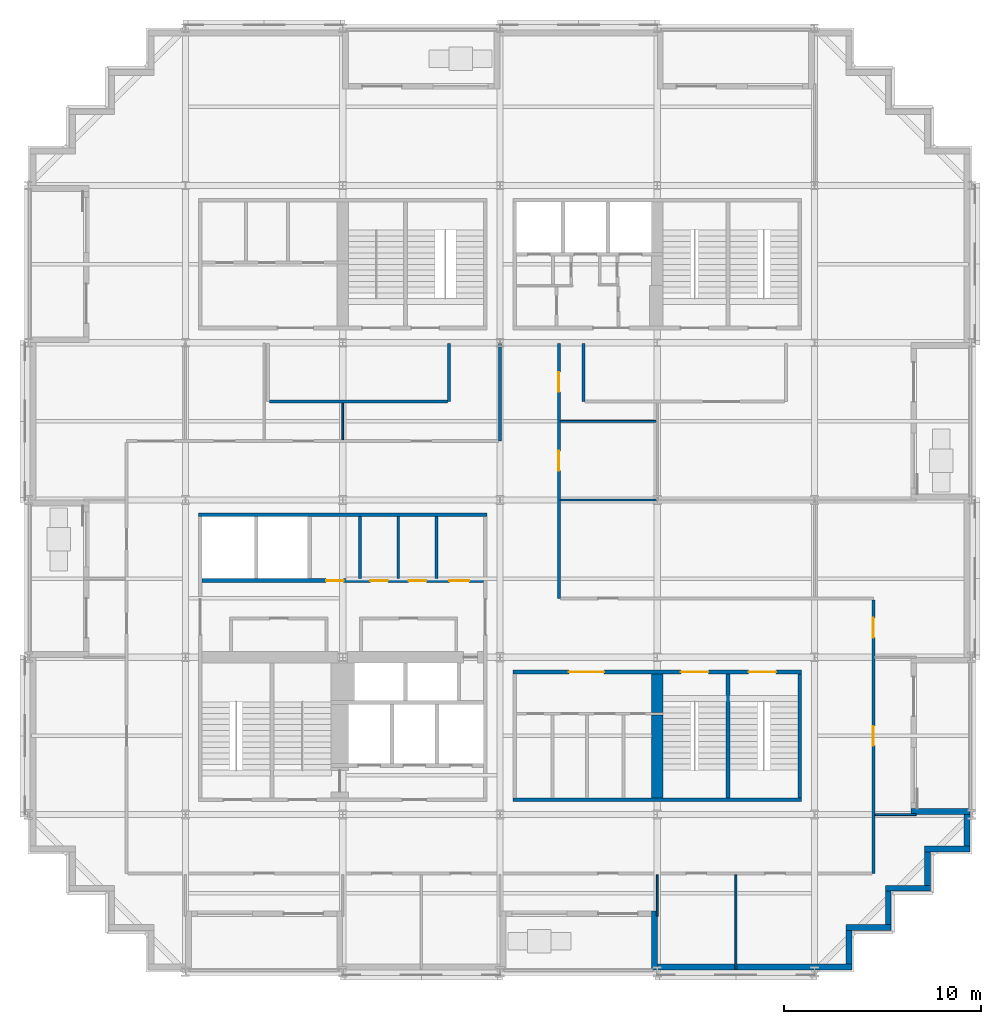
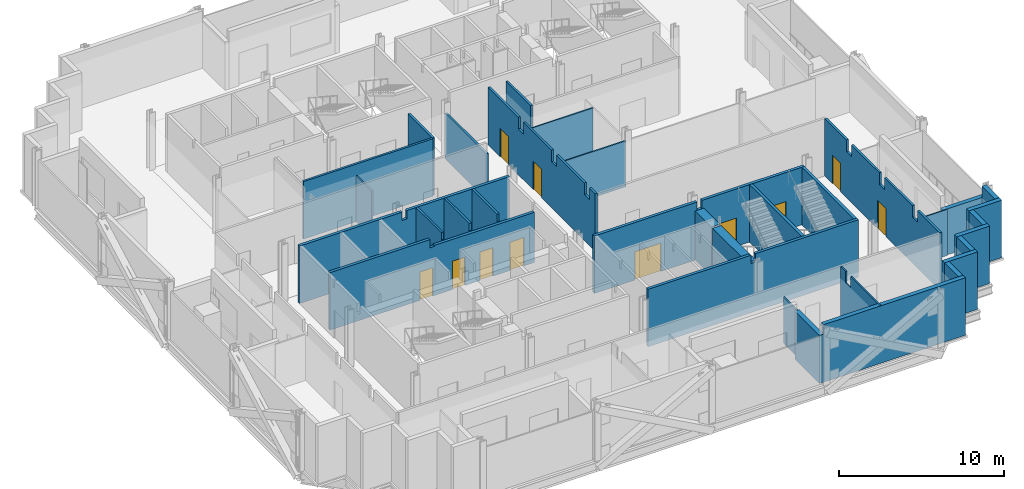
# One storey, part 7 of 14: 33 walls, 11 doors, 11 openings.
"""IFC4 building model written with IfcOpenShell, lengths in metres."""

import ifcopenshell
import ifcopenshell.guid

model = None  # the IFC model being written
_history = None  # IfcOwnerHistory: only IFC2X3 demands one
_inside = {}  # id of a spatial element -> (the spatial element, [elements in it])
_under = {}  # id of a project, library or spatial element -> (it, [spatial elements below it])
_declared = {}  # id of a project -> (the project, [libraries it declares])
_typed = {}  # id of a type object -> (the type object, [elements of that type])
_made_of = {}  # id of a material, layer set ... -> (it, [elements and type objects made of it])


def new_model(schema):
    """Start an empty IFC model of exactly this schema.

    Asked for "IFC4X3", IfcOpenShell would pick the latest addendum, in which some entities
    have other attributes; the version numbers below select the first issue.
    IFC2X3 requires an IfcOwnerHistory on every rooted entity: one is made here for all.
    """
    global model, _history
    if schema == "IFC4X3":
        model = ifcopenshell.file(schema_version=(4, 3, 0, 0))
    else:
        model = ifcopenshell.file(schema=schema)
    _inside.clear()
    _under.clear()
    _declared.clear()
    _typed.clear()
    _made_of.clear()
    _history = None
    if model.schema == "IFC2X3":
        org = make("IfcOrganization", Name="unknown")
        user = make(
            "IfcPersonAndOrganization",
            ThePerson=make("IfcPerson", FamilyName="unknown"),
            TheOrganization=org,
        )
        app = make(
            "IfcApplication",
            ApplicationDeveloper=org,
            Version="unknown",
            ApplicationFullName="unknown",
            ApplicationIdentifier="unknown",
        )
        _history = make(
            "IfcOwnerHistory",
            OwningUser=user,
            OwningApplication=app,
            ChangeAction="ADDED",
            CreationDate=0,
        )
    return model


def make(cls, **values):
    """One entity of the class cls with the attributes given. An attribute that is None is left unset."""
    return model.create_entity(
        cls, **{name: value for name, value in values.items() if value is not None}
    )


def rooted(cls, **values):
    """An entity with a GlobalId (a new one), such as an element, a storey or a relation."""
    return make(cls, GlobalId=ifcopenshell.guid.new(), OwnerHistory=_history, **values)


def si_unit(unit_type, name, prefix=None):
    """IfcSIUnit, for example si_unit("LENGTHUNIT", "METRE", prefix="MILLI")."""
    return make("IfcSIUnit", UnitType=unit_type, Prefix=prefix, Name=name)


def assignment(units):
    """IfcUnitAssignment: the units of a project."""
    return None if units is None else make("IfcUnitAssignment", Units=units)


def point(xyz):
    """IfcCartesianPoint."""
    return None if xyz is None else make("IfcCartesianPoint", Coordinates=xyz)


def direction(xyz):
    """IfcDirection."""
    return None if xyz is None else make("IfcDirection", DirectionRatios=xyz)


def frame(location, z_axis=None, x_axis=None):
    """IfcAxis2Placement3D, a coordinate frame: its origin and axes. An axis left out is left unset."""
    return make(
        "IfcAxis2Placement3D",
        Location=point(location),
        Axis=direction(z_axis),
        RefDirection=direction(x_axis),
    )


def frame_2d(location, x_axis=None):
    """IfcAxis2Placement2D, a coordinate frame in the plane: its origin and x axis."""
    return make(
        "IfcAxis2Placement2D", Location=point(location), RefDirection=direction(x_axis)
    )


def origin():
    """The frame at (0, 0, 0) with its axes left unset."""
    return frame((0.0, 0.0, 0.0))


def place(relative_to, where):
    """IfcLocalPlacement: puts the frame where relative to a parent placement (None: the world)."""
    return make(
        "IfcLocalPlacement", PlacementRelTo=relative_to, RelativePlacement=where
    )


def context(
    kind, dimensions, precision=None, world=None, true_north=None, identifier=None
):
    """IfcGeometricRepresentationContext, for example the 3D "Model" context."""
    return make(
        "IfcGeometricRepresentationContext",
        ContextIdentifier=identifier,
        ContextType=kind,
        CoordinateSpaceDimension=dimensions,
        Precision=precision,
        WorldCoordinateSystem=world,
        TrueNorth=true_north,
    )


def subcontext(parent, identifier, kind, view, scale=None):
    """IfcGeometricRepresentationSubContext, for example "Body" below "Model"."""
    return make(
        "IfcGeometricRepresentationSubContext",
        ContextIdentifier=identifier,
        ContextType=kind,
        ParentContext=parent,
        TargetScale=scale,
        TargetView=view,
    )


def project(units=None, contexts=None):
    """IfcProject with its units and contexts."""
    return rooted(
        "IfcProject",
        Name="project",
        RepresentationContexts=contexts,
        UnitsInContext=assignment(units),
    )


def spatial(cls, under=None, at=None, **own):
    """A site, building, storey or space (cls), placed at a placement, below another one or the project."""
    s = rooted(cls, ObjectPlacement=at, **own)
    if under is not None:
        _under.setdefault(under.id(), (under, []))[1].append(s)
    return s


def polyline(points):
    """IfcPolyline through the points."""
    return make("IfcPolyline", Points=[point(p) for p in points])


def profile(cls, at=None, kind="AREA", **sizes):
    """A parametric profile (cls). Its sizes go by their IFC names, for example OverallWidth=200.0."""
    return make(cls, ProfileType=kind, Position=at, **sizes)


def rectangle(**sizes):
    """IfcRectangleProfileDef."""
    return profile("IfcRectangleProfileDef", **sizes)


def outline(outer, holes=None, kind="AREA"):
    """IfcArbitraryClosedProfileDef: a profile drawn as a closed curve; with holes, ...WithVoids."""
    if holes is None:
        return make("IfcArbitraryClosedProfileDef", ProfileType=kind, OuterCurve=outer)
    return make(
        "IfcArbitraryProfileDefWithVoids",
        ProfileType=kind,
        OuterCurve=outer,
        InnerCurves=holes,
    )


def extrude(swept, where, along, depth):
    """IfcExtrudedAreaSolid: the profile swept, set in the frame where, extruded along a direction by depth."""
    return make(
        "IfcExtrudedAreaSolid",
        SweptArea=swept,
        Position=where,
        ExtrudedDirection=direction(along),
        Depth=depth,
    )


def shape(context_of_items, identifier, shape_type, items):
    """IfcShapeRepresentation: the items that make up one representation, for example the "Body"."""
    return make(
        "IfcShapeRepresentation",
        ContextOfItems=context_of_items,
        RepresentationIdentifier=identifier,
        RepresentationType=shape_type,
        Items=items,
    )


def material(Name=None, Category=None):
    """IfcMaterial."""
    return make("IfcMaterial", Name=Name, Category=Category)


def layer(
    of_material, thickness, ventilated=None, Name=None, Category=None, Priority=None
):
    """IfcMaterialLayer: one layer of a wall or slab, of a material (None: an air gap)."""
    return make(
        "IfcMaterialLayer",
        Material=of_material,
        LayerThickness=thickness,
        IsVentilated=ventilated,
        Name=Name,
        Category=Category,
        Priority=Priority,
    )


def layer_set(layers, Name=None):
    """IfcMaterialLayerSet."""
    return make("IfcMaterialLayerSet", MaterialLayers=layers, LayerSetName=Name)


def made_of(thing, what):
    """Note that an element or type object is made of a material, layer set ...; save() writes the relation."""
    if what is not None:
        _made_of.setdefault(what.id(), (what, []))[1].append(thing)
    return thing


def type_object(cls, material=None, **own):
    """A type object (cls), such as IfcWallType, which elements share."""
    return made_of(rooted(cls, **own), material)


def element(
    cls,
    number,
    at=None,
    inside=None,
    cuts=None,
    type_object=None,
    material=None,
    context=None,
    identifier="Body",
    shape_type=None,
    held_by="IfcProductDefinitionShape",
    body=None,
    shapes=None,
    **own,
):
    """One element of the class cls, such as IfcWall. Its Tag is "e" and its number.

    at: its placement. inside: the storey or other place that contains it. cuts: it is an
    opening in that element (IfcRelVoidsElement). A single representation is given by context,
    identifier, shape_type and body (its items); several are given by shapes. held_by: the class
    of the entity that holds the representations. save() writes the other relations.
    """
    e = rooted(cls, Tag="e%d" % number, ObjectPlacement=at, **own)
    if body is not None:
        shapes = [shape(context, identifier, shape_type, body)]
    if shapes is not None:
        e.Representation = make(held_by, Representations=shapes)
    if inside is not None:
        _inside.setdefault(inside.id(), (inside, []))[1].append(e)
    if cuts is not None:
        rooted(
            "IfcRelVoidsElement", RelatingBuildingElement=cuts, RelatedOpeningElement=e
        )
    if type_object is not None:
        _typed.setdefault(type_object.id(), (type_object, []))[1].append(e)
    return made_of(e, material)


def fill(opening, filler):
    """IfcRelFillsElement: the door or window that sits in an opening."""
    return rooted(
        "IfcRelFillsElement",
        RelatingOpeningElement=opening,
        RelatedBuildingElement=filler,
    )


def aggregate(whole, parts):
    """IfcRelAggregates: a whole, such as a stair, and the parts it consists of."""
    return rooted("IfcRelAggregates", RelatingObject=whole, RelatedObjects=parts)


def save(model, path):
    """Write the relations noted so far, then the file.

    IfcRelAggregates (storeys below a building ...), IfcRelContainedInSpatialStructure (elements
    in a storey), IfcRelDefinesByType, IfcRelAssociatesMaterial and IfcRelDeclares: one each for
    every whole, place, type object, material and project.
    """
    for whole, parts in _under.values():
        aggregate(whole, parts)
    for where, things in _inside.values():
        rooted(
            "IfcRelContainedInSpatialStructure",
            RelatedElements=things,
            RelatingStructure=where,
        )
    for kind, things in _typed.values():
        rooted("IfcRelDefinesByType", RelatedObjects=things, RelatingType=kind)
    for what, things in _made_of.values():
        rooted("IfcRelAssociatesMaterial", RelatedObjects=things, RelatingMaterial=what)
    for by, libraries in _declared.values():
        rooted("IfcRelDeclares", RelatingContext=by, RelatedDefinitions=libraries)
    model.write(path)


model = new_model("IFC4")

# Units and contexts
model_context = context("Model", 3, precision=1e-05, world=origin(), true_north=direction((0.0, 1.0)))
body_context = subcontext(model_context, "Body", "Model", "MODEL_VIEW")
ifc_project = project(units=[si_unit("LENGTHUNIT", "METRE"), si_unit("AREAUNIT", "SQUARE_METRE"), si_unit("VOLUMEUNIT", "CUBIC_METRE"), si_unit("PLANEANGLEUNIT", "RADIAN"), si_unit("MASSUNIT", "GRAM", prefix="KILO")], contexts=[model_context])

# Site, building, storey
site_placement = place(None, origin())
site = spatial("IfcSite", under=ifc_project, at=site_placement, CompositionType="ELEMENT")
building_placement = place(site_placement, origin())
building = spatial("IfcBuilding", under=site, at=building_placement, Name="Immortelle Media Tower", CompositionType="ELEMENT")
storey_placement = place(building_placement, frame((0.0, 0.0, 48.0)))
storey = spatial("IfcBuildingStorey", under=building, at=storey_placement, Name="L07", CompositionType="ELEMENT", Elevation=48.0)

# Walls
ifc_material_1 = material(Name="Fire-rated gypsum board", Category="gypsum")
ifc_layer_1 = layer(ifc_material_1, 0.02490234375)
ifc_material_2 = material(Name="Steel ASTM A653 SS Gr 50 stud frame with mineral wool", Category="steel")
ifc_layer_2 = layer(ifc_material_2, 0.10009765625)
ifc_layer_3 = layer(ifc_material_1, 0.02490234375)
ifc_layer_set_1 = layer_set([ifc_layer_1, ifc_layer_2, ifc_layer_3], Name="Steel ASTM A653 SS Gr 50 stud frame with mineral wool")
wall_type_1 = type_object("IfcWallType", Name="Core partition 150", PredefinedType="PARTITIONING", material=ifc_layer_set_1)
for number, where, z_axis, x_axis, name in (
    (1, (16.875, 20.0, 0.0), (0.0, 0.0, 1.0), (0.0, 1.0, 0.0), "Core partition SW"),
    (2, (18.824951171875, 20.0, 0.0), (0.0, 0.0, 1.0), (0.0, 1.0, 0.0), "Core partition SW"),
    (3, (20.77490234375, 20.0, 0.0), (0.0, 0.0, 1.0), (0.0, 1.0, 0.0), "Core partition SW"),
):
    element("IfcWall", number, at=place(storey_placement, frame(where, z_axis=z_axis, x_axis=x_axis)), inside=storey, type_object=wall_type_1, Name=name, PredefinedType="PARTITIONING", context=body_context, shape_type="SweptSolid", body=[
        extrude(outline(polyline([(0.0, 0.0), (3.14990234375, 0.0), (3.14990234375, 4.25), (0.08837890625, 4.25), (0.08740234375, 3.7080078125), (0.0, 3.7080078125), (0.0, 0.0)])), frame((0.0, 0.074951171875, 0.0), z_axis=(0.0, -1.0, 0.0), x_axis=(1.0, 0.0, 0.0)), (0.0, 0.0, 1.0), 0.14990234375),
    ])
ifc_layer_4 = layer(ifc_material_1, 0.03759765625)
ifc_layer_5 = layer(ifc_material_2, 0.125)
ifc_layer_6 = layer(ifc_material_1, 0.03759765625)
ifc_layer_set_2 = layer_set([ifc_layer_4, ifc_layer_5, ifc_layer_6], Name="Steel ASTM A653 SS Gr 50 stud frame with mineral wool")
wall_type_2 = type_object("IfcWallType", Name="Core shaft wall 200", PredefinedType="PARTITIONING", material=ifc_layer_set_2)
wall_1_placement = place(storey_placement, frame((8.64990234375, 23.25, 0.0), z_axis=(0.0, 0.0, 1.0), x_axis=(1.0, 0.0, 0.0)))
element("IfcWall", 4, at=wall_1_placement, inside=storey, type_object=wall_type_2, Name="Core shaft wall SW", PredefinedType="PARTITIONING", context=body_context, shape_type="SweptSolid", body=[
    extrude(outline(polyline([(0.0, 0.0), (14.7001953125, 0.0), (14.699951171875, 4.25), (7.51708984375, 4.25), (7.51611328125, 3.632080078125), (7.18408203125, 3.632080078125), (7.18310546875, 4.25), (0.0, 4.25), (0.0, 0.0)])), frame((0.0, 0.10009765625, 0.0), z_axis=(0.0, -1.0, 0.0), x_axis=(1.0, 0.0, 0.0)), (0.0, 0.0, 1.0), 0.199951171875),
])

# Wall, openings, doors
wall_2_placement = place(storey_placement, frame((8.85009765625, 19.89990234375, 0.0), z_axis=(0.0, 0.0, 1.0), x_axis=(1.0, 0.0, 0.0)))
wall_2 = element("IfcWall", 5, at=wall_2_placement, inside=storey, type_object=wall_type_2, Name="Core shaft wall SW", PredefinedType="PARTITIONING", context=body_context, shape_type="SweptSolid", body=[
    extrude(outline(polyline([(0.0, 0.0), (14.2998046875, 0.0), (14.300048828125, 3.7080078125), (7.31689453125, 3.7080078125), (7.31591796875, 3.632080078125), (6.98388671875, 3.632080078125), (6.98291015625, 4.25), (0.0, 4.25), (0.0, 0.0)])), frame((0.0, 0.10009765625, 0.0), z_axis=(0.0, -1.0, 0.0), x_axis=(1.0, 0.0, 0.0)), (0.0, 0.0, 1.0), 0.199951171875),
])
opening_1_placement = place(wall_2_placement, frame((6.300048828125, 0.0, 0.0)))
opening_1 = element("IfcOpeningElement", 6, at=opening_1_placement, cuts=wall_2, Name="Opening N2-K005", PredefinedType="OPENING", context=body_context, shape_type="SweptSolid", body=[
    extrude(rectangle(XDim=0.89990234375, YDim=2.10009765625, at=frame_2d((0.449951171875, 1.050048828125))), frame((0.0, 0.10986328125, 0.0), z_axis=(0.0, -1.0, 0.0), x_axis=(1.0, 0.0, 0.0)), (0.0, 0.0, 1.0), 0.219970703125),
])
opening_2_placement = place(wall_2_placement, frame((8.550048828125, 0.0, 0.0)))
opening_2 = element("IfcOpeningElement", 7, at=opening_2_placement, cuts=wall_2, Name="Opening N2-K008", PredefinedType="OPENING", context=body_context, shape_type="SweptSolid", body=[
    extrude(rectangle(XDim=0.89990234375, YDim=2.10009765625, at=frame_2d((0.449951171875, 1.050048828125))), frame((0.0, 0.10986328125, 0.0), z_axis=(0.0, -1.0, 0.0), x_axis=(1.0, 0.0, 0.0)), (0.0, 0.0, 1.0), 0.219970703125),
])
opening_3_placement = place(wall_2_placement, frame((10.5, 0.0, 0.0)))
opening_3 = element("IfcOpeningElement", 8, at=opening_3_placement, cuts=wall_2, Name="Opening N2-K012", PredefinedType="OPENING", context=body_context, shape_type="SweptSolid", body=[
    extrude(rectangle(XDim=0.89990234375, YDim=2.10009765625, at=frame_2d((0.449951171875, 1.050048828125))), frame((0.0, 0.10986328125, 0.0), z_axis=(0.0, -1.0, 0.0), x_axis=(1.0, 0.0, 0.0)), (0.0, 0.0, 1.0), 0.219970703125),
])
opening_4_placement = place(wall_2_placement, frame((12.574951171875, 0.0, 0.0)))
opening_4 = element("IfcOpeningElement", 9, at=opening_4_placement, cuts=wall_2, Name="Opening N2-K013", PredefinedType="OPENING", context=body_context, shape_type="SweptSolid", body=[
    extrude(rectangle(XDim=1.0, YDim=2.10009765625, at=frame_2d((0.5, 1.050048828125))), frame((0.0, 0.10986328125, 0.0), z_axis=(0.0, -1.0, 0.0), x_axis=(1.0, 0.0, 0.0)), (0.0, 0.0, 1.0), 0.219970703125),
])
ifc_material_3 = material(Name="Timber", Category="wood")
door_type_1 = type_object("IfcDoorType", Name="Accessible toilet door 1000 x 2100", OperationType="NOTDEFINED", PredefinedType="NOTDEFINED", material=ifc_material_3)
door_1_placement = place(opening_4_placement, origin())
door_1 = element("IfcDoor", 10, at=door_1_placement, inside=storey, type_object=door_type_1, Name="Accessible toilet N2-K013", OperationType="SINGLE_SWING_LEFT", OverallHeight=2.10009765625, OverallWidth=1.0, PredefinedType="NOTDEFINED", context=body_context, shape_type="SweptSolid", body=[
    extrude(rectangle(XDim=1.0, YDim=2.10009765625, at=frame_2d((0.5, 1.050048828125))), frame((0.0, 0.02490234375, 0.0), z_axis=(0.0, -1.0, 0.0), x_axis=(1.0, 0.0, 0.0)), (0.0, 0.0, 1.0), 0.050048828125),
])
fill(opening_4, door_1)
door_type_2 = type_object("IfcDoorType", Name="Room door 900 x 2100", OperationType="NOTDEFINED", PredefinedType="NOTDEFINED", material=ifc_material_3)
door_2_placement = place(opening_1_placement, origin())
door_2 = element("IfcDoor", 11, at=door_2_placement, inside=storey, type_object=door_type_2, Name="Room N2-K005", OperationType="SINGLE_SWING_LEFT", OverallHeight=2.10009765625, OverallWidth=0.89990234375, PredefinedType="NOTDEFINED", context=body_context, shape_type="SweptSolid", body=[
    extrude(rectangle(XDim=0.89990234375, YDim=2.10009765625, at=frame_2d((0.449951171875, 1.050048828125))), frame((0.0, 0.02490234375, 0.0), z_axis=(0.0, -1.0, 0.0), x_axis=(1.0, 0.0, 0.0)), (0.0, 0.0, 1.0), 0.050048828125),
])
fill(opening_1, door_2)
door_type_3 = type_object("IfcDoorType", Name="Toilet door 900 x 2100", OperationType="NOTDEFINED", PredefinedType="NOTDEFINED", material=ifc_material_3)
door_3_placement = place(opening_2_placement, origin())
door_3 = element("IfcDoor", 12, at=door_3_placement, inside=storey, type_object=door_type_3, Name="Toilet N2-K008", OperationType="SINGLE_SWING_RIGHT", OverallHeight=2.10009765625, OverallWidth=0.89990234375, PredefinedType="NOTDEFINED", context=body_context, shape_type="SweptSolid", body=[
    extrude(rectangle(XDim=0.89990234375, YDim=2.10009765625, at=frame_2d((0.449951171875, 1.050048828125))), frame((0.0, 0.02490234375, 0.0), z_axis=(0.0, -1.0, 0.0), x_axis=(1.0, 0.0, 0.0)), (0.0, 0.0, 1.0), 0.050048828125),
])
fill(opening_2, door_3)
door_4_placement = place(opening_3_placement, origin())
door_4 = element("IfcDoor", 13, at=door_4_placement, inside=storey, type_object=door_type_3, Name="Toilet N2-K012", OperationType="SINGLE_SWING_RIGHT", OverallHeight=2.10009765625, OverallWidth=0.89990234375, PredefinedType="NOTDEFINED", context=body_context, shape_type="SweptSolid", body=[
    extrude(rectangle(XDim=0.89990234375, YDim=2.10009765625, at=frame_2d((0.449951171875, 1.050048828125))), frame((0.0, 0.02490234375, 0.0), z_axis=(0.0, -1.0, 0.0), x_axis=(1.0, 0.0, 0.0)), (0.0, 0.0, 1.0), 0.050048828125),
])
fill(opening_3, door_4)

ifc_layer_7 = layer(ifc_material_1, 0.012451171875)
ifc_layer_8 = layer(ifc_material_2, 0.125)
ifc_layer_9 = layer(ifc_material_1, 0.012451171875)
ifc_layer_set_3 = layer_set([ifc_layer_7, ifc_layer_8, ifc_layer_9], Name="Steel ASTM A653 SS Gr 50 stud frame with mineral wool")
wall_type_3 = type_object("IfcWallType", Name="Corridor wall 150", PredefinedType="PARTITIONING", material=ifc_layer_set_3)
wall_3_placement = place(storey_placement, frame((43.0, 5.0, 0.0), z_axis=(0.0, 0.0, 1.0), x_axis=(0.0, 1.0, 0.0)))
wall_3 = element("IfcWall", 14, at=wall_3_placement, inside=storey, type_object=wall_type_3, Name="Partition L07-009", PredefinedType="PARTITIONING", context=body_context, shape_type="SweptSolid", body=[
    extrude(outline(polyline([(0.0, 0.0), (13.925048828125, 0.0), (13.925048828125, 4.25), (11.300048828125, 4.25), (11.298095703125, 3.39111328125), (10.701904296875, 3.39111328125), (10.699951171875, 4.25), (7.300048828125, 4.25), (7.298095703125, 3.39111328125), (6.701904296875, 3.39111328125), (6.699951171875, 4.25), (3.300048828125, 4.25), (3.298095703125, 3.39111328125), (2.701904296875, 3.39111328125), (2.699951171875, 4.25), (0.0, 4.25), (0.0, 0.0)])), frame((0.0, 0.074951171875, 0.0), z_axis=(0.0, -1.0, 0.0), x_axis=(1.0, 0.0, 0.0)), (0.0, 0.0, 1.0), 0.14990234375),
])
opening_5_placement = place(wall_3_placement, frame((7.5, 0.0, 0.0), z_axis=(0.0, 0.0, 1.0), x_axis=(-1.0, 0.0, 0.0)))
opening_5 = element("IfcOpeningElement", 15, at=opening_5_placement, cuts=wall_3, Name="Opening N2-F008", PredefinedType="OPENING", context=body_context, shape_type="SweptSolid", body=[
    extrude(rectangle(XDim=1.0, YDim=2.10009765625, at=frame_2d((0.5, 1.050048828125))), frame((0.0, 0.0849609375, 0.0), z_axis=(0.0, -1.0, 0.0), x_axis=(1.0, 0.0, 0.0)), (0.0, 0.0, 1.0), 0.169921875),
])
opening_6_placement = place(wall_3_placement, frame((13.0, 0.0, 0.0), z_axis=(0.0, 0.0, 1.0), x_axis=(-1.0, 0.0, 0.0)))
opening_6 = element("IfcOpeningElement", 16, at=opening_6_placement, cuts=wall_3, Name="Opening N2-F011", PredefinedType="OPENING", context=body_context, shape_type="SweptSolid", body=[
    extrude(rectangle(XDim=1.0, YDim=2.10009765625, at=frame_2d((0.5, 1.050048828125))), frame((0.0, 0.0849609375, 0.0), z_axis=(0.0, -1.0, 0.0), x_axis=(1.0, 0.0, 0.0)), (0.0, 0.0, 1.0), 0.169921875),
])
ifc_material_4 = material(Name="Timber veneered door leaf, galvanised steel frame ASTM A653", Category="steel")
door_type_4 = type_object("IfcDoorType", Name="Room door 1000 x 2100", OperationType="NOTDEFINED", PredefinedType="DOOR", material=ifc_material_4)
door_5_placement = place(opening_5_placement, origin())
door_5 = element("IfcDoor", 17, at=door_5_placement, inside=storey, type_object=door_type_4, Name="Door N2-F008", OperationType="SINGLE_SWING_RIGHT", OverallHeight=2.10009765625, OverallWidth=1.0, PredefinedType="DOOR", context=body_context, shape_type="SweptSolid", body=[
    extrude(rectangle(XDim=1.0, YDim=2.10009765625, at=frame_2d((0.5, 1.050048828125))), frame((0.0, 0.02490234375, 0.0), z_axis=(0.0, -1.0, 0.0), x_axis=(1.0, 0.0, 0.0)), (0.0, 0.0, 1.0), 0.050048828125),
])
fill(opening_5, door_5)
door_6_placement = place(opening_6_placement, origin())
door_6 = element("IfcDoor", 18, at=door_6_placement, inside=storey, type_object=door_type_4, Name="Door N2-F011", OperationType="SINGLE_SWING_RIGHT", OverallHeight=2.10009765625, OverallWidth=1.0, PredefinedType="DOOR", context=body_context, shape_type="SweptSolid", body=[
    extrude(rectangle(XDim=1.0, YDim=2.10009765625, at=frame_2d((0.5, 1.050048828125))), frame((0.0, 0.02490234375, 0.0), z_axis=(0.0, -1.0, 0.0), x_axis=(1.0, 0.0, 0.0)), (0.0, 0.0, 1.0), 0.050048828125),
])
fill(opening_6, door_6)

wall_4_placement = place(storey_placement, frame((27.0, 19.0, 0.0), z_axis=(0.0, 0.0, 1.0), x_axis=(0.0, 1.0, 0.0)))
wall_4 = element("IfcWall", 19, at=wall_4_placement, inside=storey, type_object=wall_type_3, Name="Partition L07-014", PredefinedType="PARTITIONING", context=body_context, shape_type="SweptSolid", body=[
    extrude(outline(polyline([(0.0, 0.0), (12.969970703125, 0.0), (12.969970703125, 4.25), (9.300048828125, 4.25), (9.298095703125, 3.39111328125), (8.701904296875, 3.39111328125), (8.699951171875, 4.25), (5.300048828125, 4.25), (5.298095703125, 3.39111328125), (4.701904296875, 3.39111328125), (4.699951171875, 4.25), (1.300048828125, 4.25), (1.298095703125, 3.39111328125), (0.701904296875, 3.39111328125), (0.699951171875, 4.25), (0.0, 4.25), (0.0, 0.0)])), frame((0.0, 0.074951171875, 0.0), z_axis=(0.0, -1.0, 0.0), x_axis=(1.0, 0.0, 0.0)), (0.0, 0.0, 1.0), 0.14990234375),
])
opening_7_placement = place(wall_4_placement, frame((7.5, 0.0, 0.0), z_axis=(0.0, 0.0, 1.0), x_axis=(-1.0, 0.0, 0.0)))
opening_7 = element("IfcOpeningElement", 20, at=opening_7_placement, cuts=wall_4, Name="Opening N2-F013", PredefinedType="OPENING", context=body_context, shape_type="SweptSolid", body=[
    extrude(rectangle(XDim=1.0, YDim=2.10009765625, at=frame_2d((0.5, 1.050048828125))), frame((0.0, 0.0849609375, 0.0), z_axis=(0.0, -1.0, 0.0), x_axis=(1.0, 0.0, 0.0)), (0.0, 0.0, 1.0), 0.169921875),
])
opening_8_placement = place(wall_4_placement, frame((11.5, 0.0, 0.0), z_axis=(0.0, 0.0, 1.0), x_axis=(-1.0, 0.0, 0.0)))
opening_8 = element("IfcOpeningElement", 21, at=opening_8_placement, cuts=wall_4, Name="Opening N2-F014", PredefinedType="OPENING", context=body_context, shape_type="SweptSolid", body=[
    extrude(rectangle(XDim=1.0, YDim=2.10009765625, at=frame_2d((0.5, 1.050048828125))), frame((0.0, 0.0849609375, 0.0), z_axis=(0.0, -1.0, 0.0), x_axis=(1.0, 0.0, 0.0)), (0.0, 0.0, 1.0), 0.169921875),
])
door_7_placement = place(opening_7_placement, origin())
door_7 = element("IfcDoor", 22, at=door_7_placement, inside=storey, type_object=door_type_4, Name="Door N2-F013", OperationType="SINGLE_SWING_LEFT", OverallHeight=2.10009765625, OverallWidth=1.0, PredefinedType="DOOR", context=body_context, shape_type="SweptSolid", body=[
    extrude(rectangle(XDim=1.0, YDim=2.10009765625, at=frame_2d((0.5, 1.050048828125))), frame((0.0, 0.02490234375, 0.0), z_axis=(0.0, -1.0, 0.0), x_axis=(1.0, 0.0, 0.0)), (0.0, 0.0, 1.0), 0.050048828125),
])
fill(opening_7, door_7)
door_8_placement = place(opening_8_placement, origin())
door_8 = element("IfcDoor", 23, at=door_8_placement, inside=storey, type_object=door_type_4, Name="Door N2-F014", OperationType="SINGLE_SWING_LEFT", OverallHeight=2.10009765625, OverallWidth=1.0, PredefinedType="DOOR", context=body_context, shape_type="SweptSolid", body=[
    extrude(rectangle(XDim=1.0, YDim=2.10009765625, at=frame_2d((0.5, 1.050048828125))), frame((0.0, 0.02490234375, 0.0), z_axis=(0.0, -1.0, 0.0), x_axis=(1.0, 0.0, 0.0)), (0.0, 0.0, 1.0), 0.050048828125),
])
fill(opening_8, door_8)

# Walls
wall_5_placement = place(storey_placement, frame((24.0, 27.0, 0.0), z_axis=(0.0, 0.0, 1.0), x_axis=(0.0, 1.0, 0.0)))
element("IfcWall", 24, at=wall_5_placement, inside=storey, type_object=wall_type_3, Name="Partition L07-026", PredefinedType="PARTITIONING", context=body_context, shape_type="SweptSolid", body=[
    extrude(rectangle(XDim=4.969970703125, YDim=0.14990234375, at=frame_2d((2.48486328125, 0.0))), origin(), (0.0, 0.0, 1.0), 3.39111328125),
])
wall_6_placement = place(storey_placement, frame((12.27490234375, 29.0, 0.0), z_axis=(0.0, 0.0, 1.0), x_axis=(1.0, 0.0, 0.0)))
element("IfcWall", 25, at=wall_6_placement, inside=storey, type_object=wall_type_3, Name="Partition L07-029", PredefinedType="PARTITIONING", context=body_context, shape_type="SweptSolid", body=[
    extrude(rectangle(XDim=9.050048828125, YDim=0.14990234375, at=frame_2d((4.52490234375, 0.0))), origin(), (0.0, 0.0, 1.0), 4.25),
])
for number, where, z_axis, x_axis, name in (
    (26, (21.39990234375, 29.0, 0.0), (0.0, 0.0, 1.0), (0.0, 1.0, 0.0), "Partition L07-031"),
    (27, (28.25, 29.0, 0.0), (0.0, 0.0, 1.0), (0.0, 1.0, 0.0), "Partition L07-033"),
):
    element("IfcWall", number, at=place(storey_placement, frame(where, z_axis=z_axis, x_axis=x_axis)), inside=storey, type_object=wall_type_3, Name=name, PredefinedType="PARTITIONING", context=body_context, shape_type="SweptSolid", body=[
        extrude(rectangle(XDim=2.969970703125, YDim=0.14990234375, at=frame_2d((1.48486328125, 0.0))), origin(), (0.0, 0.0, 1.0), 4.25),
    ])
ifc_material_5 = material(Name="Pale aluminium cladding panel", Category="aluminium")
ifc_layer_10 = layer(ifc_material_5, 0.030029296875)
ifc_layer_11 = layer(ifc_material_2, 0.257568359375)
ifc_material_6 = material(Name="Moisture-resistant gypsum board", Category="gypsum")
ifc_layer_12 = layer(ifc_material_6, 0.012451171875)
ifc_layer_set_4 = layer_set([ifc_layer_10, ifc_layer_11, ifc_layer_12], Name="Steel ASTM A653 SS Gr 50 stud frame with mineral wool")
wall_type_4 = type_object("IfcWallType", Name="Facade wall 300", PredefinedType="SOLIDWALL", material=ifc_layer_set_4)
wall_7_placement = place(storey_placement, frame((31.85009765625, 0.10009765625, 0.0), z_axis=(0.0, 0.0, 1.0), x_axis=(0.0, 1.0, 0.0)))
element("IfcWall", 28, at=wall_7_placement, inside=storey, type_object=wall_type_4, Name="Loggia cheek wall L07 S", PredefinedType="SOLIDWALL", context=body_context, shape_type="SweptSolid", body=[
    extrude(rectangle(XDim=3.0, YDim=0.300048828125, at=frame_2d((1.5, 0.0))), origin(), (0.0, 0.0, 1.0), 3.552978515625),
])
wall_8_placement = place(storey_placement, frame((32.0, 0.25, 0.0), z_axis=(0.0, 0.0, 1.0), x_axis=(1.0, 0.0, 0.0)))
element("IfcWall", 29, at=wall_8_placement, inside=storey, type_object=wall_type_4, Name="Facade wall L07 S7", PredefinedType="SOLIDWALL", context=body_context, shape_type="SweptSolid", body=[
    extrude(rectangle(XDim=9.89990234375, YDim=0.300048828125, at=frame_2d((4.949951171875, 0.0))), origin(), (0.0, 0.0, 1.0), 4.25),
])
wall_9_placement = place(storey_placement, frame((41.75, 0.39990234375, 0.0), z_axis=(0.0, 0.0, 1.0), x_axis=(0.0, 1.0, 0.0)))
element("IfcWall", 30, at=wall_9_placement, inside=storey, type_object=wall_type_4, Name="Facade wall L07 E8", PredefinedType="SOLIDWALL", context=body_context, shape_type="SweptSolid", body=[
    extrude(rectangle(XDim=1.7001953125, YDim=0.300048828125, at=frame_2d((0.85009765625, 0.0))), origin(), (0.0, 0.0, 1.0), 4.25),
])
wall_10_placement = place(storey_placement, frame((41.60009765625, 2.25, 0.0), z_axis=(0.0, 0.0, 1.0), x_axis=(1.0, 0.0, 0.0)))
element("IfcWall", 31, at=wall_10_placement, inside=storey, type_object=wall_type_4, Name="Facade wall L07 S9", PredefinedType="SOLIDWALL", context=body_context, shape_type="SweptSolid", body=[
    extrude(rectangle(XDim=2.2998046875, YDim=0.300048828125, at=frame_2d((1.14990234375, 0.0))), origin(), (0.0, 0.0, 1.0), 4.25),
])
wall_11_placement = place(storey_placement, frame((43.75, 2.39990234375, 0.0), z_axis=(0.0, 0.0, 1.0), x_axis=(0.0, 1.0, 0.0)))
element("IfcWall", 32, at=wall_11_placement, inside=storey, type_object=wall_type_4, Name="Facade wall L07 E10", PredefinedType="SOLIDWALL", context=body_context, shape_type="SweptSolid", body=[
    extrude(rectangle(XDim=1.7001953125, YDim=0.300048828125, at=frame_2d((0.85009765625, 0.0))), origin(), (0.0, 0.0, 1.0), 4.25),
])
wall_12_placement = place(storey_placement, frame((43.60009765625, 4.25, 0.0), z_axis=(0.0, 0.0, 1.0), x_axis=(1.0, 0.0, 0.0)))
element("IfcWall", 33, at=wall_12_placement, inside=storey, type_object=wall_type_4, Name="Facade wall L07 S11", PredefinedType="SOLIDWALL", context=body_context, shape_type="SweptSolid", body=[
    extrude(rectangle(XDim=2.2998046875, YDim=0.300048828125, at=frame_2d((1.14990234375, 0.0))), origin(), (0.0, 0.0, 1.0), 4.25),
])
wall_13_placement = place(storey_placement, frame((45.75, 4.39990234375, 0.0), z_axis=(0.0, 0.0, 1.0), x_axis=(0.0, 1.0, 0.0)))
element("IfcWall", 34, at=wall_13_placement, inside=storey, type_object=wall_type_4, Name="Facade wall L07 E12", PredefinedType="SOLIDWALL", context=body_context, shape_type="SweptSolid", body=[
    extrude(rectangle(XDim=1.7001953125, YDim=0.300048828125, at=frame_2d((0.85009765625, 0.0))), origin(), (0.0, 0.0, 1.0), 4.25),
])
wall_14_placement = place(storey_placement, frame((45.60009765625, 6.25, 0.0), z_axis=(0.0, 0.0, 1.0), x_axis=(1.0, 0.0, 0.0)))
element("IfcWall", 35, at=wall_14_placement, inside=storey, type_object=wall_type_4, Name="Facade wall L07 S13", PredefinedType="SOLIDWALL", context=body_context, shape_type="SweptSolid", body=[
    extrude(rectangle(XDim=2.2998046875, YDim=0.300048828125, at=frame_2d((1.14990234375, 0.0))), origin(), (0.0, 0.0, 1.0), 4.25),
])
wall_15_placement = place(storey_placement, frame((47.75, 6.39990234375, 0.0), z_axis=(0.0, 0.0, 1.0), x_axis=(0.0, 1.0, 0.0)))
element("IfcWall", 36, at=wall_15_placement, inside=storey, type_object=wall_type_4, Name="Facade wall L07 E14", PredefinedType="SOLIDWALL", context=body_context, shape_type="SweptSolid", body=[
    extrude(rectangle(XDim=1.60009765625, YDim=0.300048828125, at=frame_2d((0.800048828125, 0.0))), origin(), (0.0, 0.0, 1.0), 4.25),
])
wall_16_placement = place(storey_placement, frame((47.89990234375, 8.14990234375, 0.0), z_axis=(0.0, 0.0, 1.0), x_axis=(-1.0, 0.0, 0.0)))
element("IfcWall", 37, at=wall_16_placement, inside=storey, type_object=wall_type_4, Name="Loggia cheek wall L07 E", PredefinedType="SOLIDWALL", context=body_context, shape_type="SweptSolid", body=[
    extrude(rectangle(XDim=3.0, YDim=0.300048828125, at=frame_2d((1.5, 0.0))), origin(), (0.0, 0.0, 1.0), 3.389892578125),
])
ifc_material_7 = material(Name="Gypsum board", Category="gypsum")
ifc_layer_13 = layer(ifc_material_7, 0.012451171875)
ifc_layer_14 = layer(ifc_material_2, 0.074951171875)
ifc_layer_15 = layer(ifc_material_7, 0.012451171875)
ifc_layer_set_5 = layer_set([ifc_layer_13, ifc_layer_14, ifc_layer_15], Name="Steel ASTM A653 SS Gr 50 stud frame with mineral wool")
wall_type_5 = type_object("IfcWallType", Name="Partition 100", PredefinedType="PARTITIONING", material=ifc_layer_set_5)
wall_17_placement = place(storey_placement, frame((36.0, 0.1298828125, 0.0), z_axis=(0.0, 0.0, 1.0), x_axis=(0.0, 1.0, 0.0)))
element("IfcWall", 38, at=wall_17_placement, inside=storey, type_object=wall_type_5, Name="Partition L07-002", PredefinedType="PARTITIONING", context=body_context, shape_type="SweptSolid", body=[
    extrude(outline(polyline([(0.0, 0.0), (4.795166015625, 0.0), (4.794921875, 4.25), (4.169921875, 4.25), (4.16796875, 3.39111328125), (3.572021484375, 3.39111328125), (3.570068359375, 4.25), (0.0, 4.25), (0.0, 0.0)])), frame((0.0, 0.050048828125, 0.0), z_axis=(0.0, -1.0, 0.0), x_axis=(1.0, 0.0, 0.0)), (0.0, 0.0, 1.0), 0.10009765625),
])
for number, where, z_axis, x_axis, name in (
    (39, (32.0, 2.830078125, 0.0), (0.0, 0.0, 1.0), (0.0, 1.0, 0.0), "Partition L07-006"),
    (40, (43.074951171875, 8.0, 0.0), (0.0, 0.0, 1.0), (1.0, 0.0, 0.0), "Partition L07-010"),
):
    element("IfcWall", number, at=place(storey_placement, frame(where, z_axis=z_axis, x_axis=x_axis)), inside=storey, type_object=wall_type_5, Name=name, PredefinedType="PARTITIONING", context=body_context, shape_type="SweptSolid", body=[
        extrude(rectangle(XDim=2.094970703125, YDim=0.10009765625, at=frame_2d((1.04736328125, 0.0))), origin(), (0.0, 0.0, 1.0), 3.39111328125),
    ])
wall_18_placement = place(storey_placement, frame((27.074951171875, 24.0, 0.0), z_axis=(0.0, 0.0, 1.0), x_axis=(1.0, 0.0, 0.0)))
element("IfcWall", 41, at=wall_18_placement, inside=storey, type_object=wall_type_5, Name="Partition L07-018", PredefinedType="PARTITIONING", context=body_context, shape_type="SweptSolid", body=[
    extrude(rectangle(XDim=4.875, YDim=0.10009765625, at=frame_2d((2.4375, 0.0))), origin(), (0.0, 0.0, 1.0), 3.39111328125),
])
wall_19_placement = place(storey_placement, frame((16.0, 27.074951171875, 0.0), z_axis=(0.0, 0.0, 1.0), x_axis=(0.0, 1.0, 0.0)))
element("IfcWall", 42, at=wall_19_placement, inside=storey, type_object=wall_type_5, Name="Partition L07-025", PredefinedType="PARTITIONING", context=body_context, shape_type="SweptSolid", body=[
    extrude(rectangle(XDim=1.85009765625, YDim=0.10009765625, at=frame_2d((0.925048828125, 0.0))), origin(), (0.0, 0.0, 1.0), 3.39111328125),
])
wall_20_placement = place(storey_placement, frame((27.074951171875, 28.0, 0.0), z_axis=(0.0, 0.0, 1.0), x_axis=(1.0, 0.0, 0.0)))
element("IfcWall", 43, at=wall_20_placement, inside=storey, type_object=wall_type_5, Name="Partition L07-027", PredefinedType="PARTITIONING", context=body_context, shape_type="SweptSolid", body=[
    extrude(rectangle(XDim=4.875, YDim=0.10009765625, at=frame_2d((2.4375, 0.0))), origin(), (0.0, 0.0, 1.0), 3.39111328125),
])
ifc_material_8 = material(Name="Concrete C60", Category="concrete")
ifc_layer_16 = layer(ifc_material_8, 0.199951171875)
ifc_layer_set_6 = layer_set([ifc_layer_16], Name="Concrete C60")
wall_type_6 = type_object("IfcWallType", Name="Stair shaft wall 200", PredefinedType="PARTITIONING", material=ifc_layer_set_6)
wall_21_placement = place(storey_placement, frame((24.64990234375, 8.75, 0.0), z_axis=(0.0, 0.0, 1.0), x_axis=(1.0, 0.0, 0.0)))
element("IfcWall", 44, at=wall_21_placement, inside=storey, type_object=wall_type_6, Name="Stair shaft wall SE", PredefinedType="PARTITIONING", context=body_context, shape_type="SweptSolid", body=[
    extrude(outline(polyline([(0.0, 0.0), (14.7001953125, 0.0), (14.699951171875, 4.25), (7.51708984375, 4.25), (7.51611328125, 3.632080078125), (7.18408203125, 3.632080078125), (7.18310546875, 4.25), (0.0, 4.25), (0.0, 0.0)])), frame((0.0, 0.10009765625, 0.0), z_axis=(0.0, -1.0, 0.0), x_axis=(1.0, 0.0, 0.0)), (0.0, 0.0, 1.0), 0.199951171875),
])

# Wall, openings, doors
wall_22_placement = place(storey_placement, frame((24.64990234375, 15.25, 0.0), z_axis=(0.0, 0.0, 1.0), x_axis=(1.0, 0.0, 0.0)))
wall_22 = element("IfcWall", 45, at=wall_22_placement, inside=storey, type_object=wall_type_6, Name="Stair shaft wall SE", PredefinedType="PARTITIONING", context=body_context, shape_type="SweptSolid", body=[
    extrude(outline(polyline([(0.0, 0.0), (14.7001953125, 0.0), (14.699951171875, 4.25), (7.51708984375, 4.25), (7.51611328125, 3.632080078125), (7.18408203125, 3.632080078125), (7.18310546875, 4.25), (0.0, 4.25), (0.0, 0.0)])), frame((0.0, 0.10009765625, 0.0), z_axis=(0.0, -1.0, 0.0), x_axis=(1.0, 0.0, 0.0)), (0.0, 0.0, 1.0), 0.199951171875),
])
opening_9_placement = place(wall_22_placement, frame((2.85009765625, 0.0, 0.0)))
opening_9 = element("IfcOpeningElement", 46, at=opening_9_placement, cuts=wall_22, Name="Opening N2-K019", PredefinedType="OPENING", context=body_context, shape_type="SweptSolid", body=[
    extrude(rectangle(XDim=1.800048828125, YDim=2.10009765625, at=frame_2d((0.89990234375, 1.050048828125))), frame((0.0, 0.10986328125, 0.0), z_axis=(0.0, -1.0, 0.0), x_axis=(1.0, 0.0, 0.0)), (0.0, 0.0, 1.0), 0.219970703125),
])
opening_10_placement = place(wall_22_placement, frame((9.949951171875, 0.0, 0.0), z_axis=(0.0, 0.0, 1.0), x_axis=(-1.0, 0.0, 0.0)))
opening_10 = element("IfcOpeningElement", 47, at=opening_10_placement, cuts=wall_22, Name="Opening N2-K022", PredefinedType="OPENING", context=body_context, shape_type="SweptSolid", body=[
    extrude(rectangle(XDim=1.39990234375, YDim=2.10009765625, at=frame_2d((0.699951171875, 1.050048828125))), frame((0.0, 0.10986328125, 0.0), z_axis=(0.0, -1.0, 0.0), x_axis=(1.0, 0.0, 0.0)), (0.0, 0.0, 1.0), 0.219970703125),
])
opening_11_placement = place(wall_22_placement, frame((13.39990234375, 0.0, 0.0), z_axis=(0.0, 0.0, 1.0), x_axis=(-1.0, 0.0, 0.0)))
opening_11 = element("IfcOpeningElement", 48, at=opening_11_placement, cuts=wall_22, Name="Opening N2-K023", PredefinedType="OPENING", context=body_context, shape_type="SweptSolid", body=[
    extrude(rectangle(XDim=1.39990234375, YDim=2.10009765625, at=frame_2d((0.699951171875, 1.050048828125))), frame((0.0, 0.10986328125, 0.0), z_axis=(0.0, -1.0, 0.0), x_axis=(1.0, 0.0, 0.0)), (0.0, 0.0, 1.0), 0.219970703125),
])
ifc_material_9 = material(Name="Galvanised steel door leaf and frame ASTM A653", Category="steel")
door_type_5 = type_object("IfcDoorType", Name="Lift lobby door 1800 x 2100", OperationType="DOUBLE_DOOR_SINGLE_SWING", PredefinedType="NOTDEFINED", material=ifc_material_9)
door_9_placement = place(opening_9_placement, origin())
door_9 = element("IfcDoor", 49, at=door_9_placement, inside=storey, type_object=door_type_5, Name="Lift lobby N2-K019", OperationType="DOUBLE_DOOR_SINGLE_SWING", OverallHeight=2.10009765625, OverallWidth=1.800048828125, PredefinedType="NOTDEFINED", context=body_context, shape_type="SweptSolid", body=[
    extrude(rectangle(XDim=1.800048828125, YDim=2.10009765625, at=frame_2d((0.89990234375, 1.050048828125))), frame((0.0, 0.02490234375, 0.0), z_axis=(0.0, -1.0, 0.0), x_axis=(1.0, 0.0, 0.0)), (0.0, 0.0, 1.0), 0.050048828125),
])
fill(opening_9, door_9)
door_type_6 = type_object("IfcDoorType", Name="Stair door 1400 x 2100", OperationType="DOUBLE_DOOR_SINGLE_SWING", PredefinedType="NOTDEFINED", material=ifc_material_9)
door_10_placement = place(opening_10_placement, origin())
door_10 = element("IfcDoor", 50, at=door_10_placement, inside=storey, type_object=door_type_6, Name="Stair N2-K022", OperationType="DOUBLE_DOOR_SINGLE_SWING", OverallHeight=2.10009765625, OverallWidth=1.39990234375, PredefinedType="NOTDEFINED", context=body_context, shape_type="SweptSolid", body=[
    extrude(rectangle(XDim=1.39990234375, YDim=2.10009765625, at=frame_2d((0.699951171875, 1.050048828125))), frame((0.0, 0.02490234375, 0.0), z_axis=(0.0, -1.0, 0.0), x_axis=(1.0, 0.0, 0.0)), (0.0, 0.0, 1.0), 0.050048828125),
])
fill(opening_10, door_10)
door_11_placement = place(opening_11_placement, origin())
door_11 = element("IfcDoor", 51, at=door_11_placement, inside=storey, type_object=door_type_6, Name="Stair N2-K023", OperationType="DOUBLE_DOOR_SINGLE_SWING", OverallHeight=2.10009765625, OverallWidth=1.39990234375, PredefinedType="NOTDEFINED", context=body_context, shape_type="SweptSolid", body=[
    extrude(rectangle(XDim=1.39990234375, YDim=2.10009765625, at=frame_2d((0.699951171875, 1.050048828125))), frame((0.0, 0.02490234375, 0.0), z_axis=(0.0, -1.0, 0.0), x_axis=(1.0, 0.0, 0.0)), (0.0, 0.0, 1.0), 0.050048828125),
])
fill(opening_11, door_11)

# Walls
for number, where, z_axis, x_axis, name in (
    (52, (35.60009765625, 8.85009765625, 0.0), (0.0, 0.0, 1.0), (0.0, 1.0, 0.0), "Stair shaft wall SE"),
    (53, (39.25, 8.85009765625, 0.0), (0.0, 0.0, 1.0), (0.0, 1.0, 0.0), "Stair shaft wall SE"),
):
    element("IfcWall", number, at=place(storey_placement, frame(where, z_axis=z_axis, x_axis=x_axis)), inside=storey, type_object=wall_type_6, Name=name, PredefinedType="PARTITIONING", context=body_context, shape_type="SweptSolid", body=[
        extrude(rectangle(XDim=6.2998046875, YDim=0.199951171875, at=frame_2d((3.14990234375, 0.0))), origin(), (0.0, 0.0, 1.0), 4.25),
    ])
ifc_layer_17 = layer(ifc_material_8, 0.60009765625)
ifc_layer_set_7 = layer_set([ifc_layer_17], Name="Concrete C60")
wall_type_7 = type_object("IfcWallType", Name="Stair shaft wall 600", PredefinedType="PARTITIONING", material=ifc_layer_set_7)
wall_23_placement = place(storey_placement, frame((32.0, 8.85009765625, 0.0), z_axis=(0.0, 0.0, 1.0), x_axis=(0.0, 1.0, 0.0)))
element("IfcWall", 54, at=wall_23_placement, inside=storey, type_object=wall_type_7, Name="Stair shaft wall SE", PredefinedType="PARTITIONING", context=body_context, shape_type="SweptSolid", body=[
    extrude(rectangle(XDim=4.199951171875, YDim=0.60009765625, at=frame_2d((2.10009765625, 0.0))), origin(), (0.0, 0.0, 1.0), 3.632080078125),
])
wall_24_placement = place(storey_placement, frame((32.0, 13.199951171875, 0.0), z_axis=(0.0, 0.0, 1.0), x_axis=(0.0, 1.0, 0.0)))
element("IfcWall", 55, at=wall_24_placement, inside=storey, type_object=wall_type_7, Name="Stair shaft wall SE", PredefinedType="PARTITIONING", context=body_context, shape_type="SweptSolid", body=[
    extrude(rectangle(XDim=1.949951171875, YDim=0.60009765625, at=frame_2d((0.97509765625, 0.0))), origin(), (0.0, 0.0, 1.0), 3.632080078125),
])

save(model, "model.ifc")
